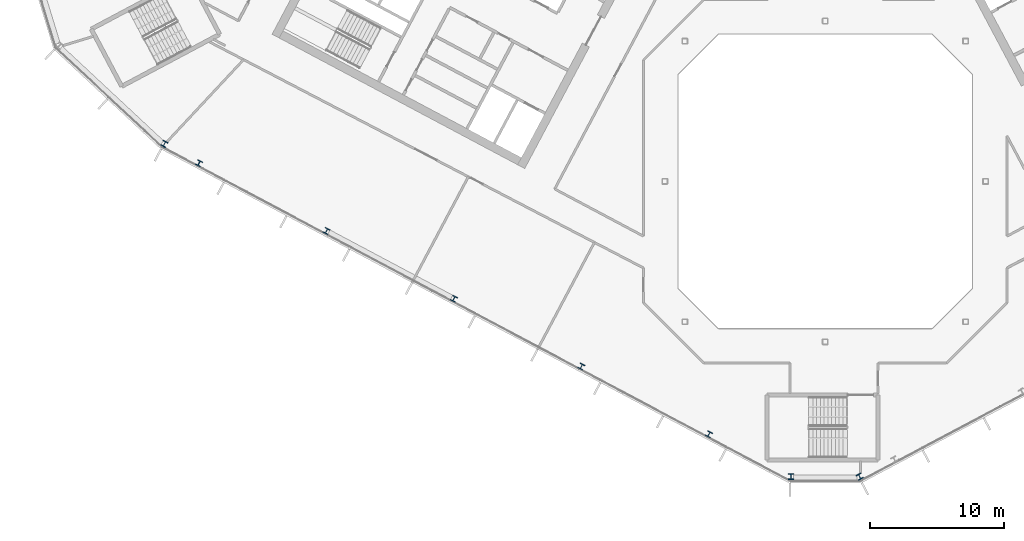
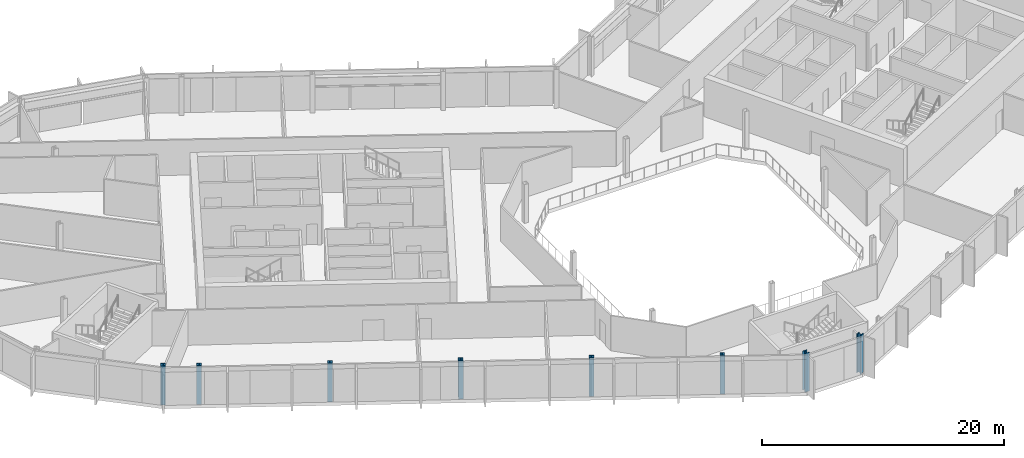
# One storey, part 1 of 27: 8 columns.
"""IFC4 building model written with IfcOpenShell, lengths in metres."""

import ifcopenshell
import ifcopenshell.guid

model = None  # the IFC model being written
_history = None  # IfcOwnerHistory: only IFC2X3 demands one
_inside = {}  # id of a spatial element -> (the spatial element, [elements in it])
_under = {}  # id of a project, library or spatial element -> (it, [spatial elements below it])
_declared = {}  # id of a project -> (the project, [libraries it declares])
_typed = {}  # id of a type object -> (the type object, [elements of that type])
_made_of = {}  # id of a material, layer set ... -> (it, [elements and type objects made of it])


def new_model(schema):
    """Start an empty IFC model of exactly this schema.

    Asked for "IFC4X3", IfcOpenShell would pick the latest addendum, in which some entities
    have other attributes; the version numbers below select the first issue.
    IFC2X3 requires an IfcOwnerHistory on every rooted entity: one is made here for all.
    """
    global model, _history
    if schema == "IFC4X3":
        model = ifcopenshell.file(schema_version=(4, 3, 0, 0))
    else:
        model = ifcopenshell.file(schema=schema)
    _inside.clear()
    _under.clear()
    _declared.clear()
    _typed.clear()
    _made_of.clear()
    _history = None
    if model.schema == "IFC2X3":
        org = make("IfcOrganization", Name="unknown")
        user = make(
            "IfcPersonAndOrganization",
            ThePerson=make("IfcPerson", FamilyName="unknown"),
            TheOrganization=org,
        )
        app = make(
            "IfcApplication",
            ApplicationDeveloper=org,
            Version="unknown",
            ApplicationFullName="unknown",
            ApplicationIdentifier="unknown",
        )
        _history = make(
            "IfcOwnerHistory",
            OwningUser=user,
            OwningApplication=app,
            ChangeAction="ADDED",
            CreationDate=0,
        )
    return model


def make(cls, **values):
    """One entity of the class cls with the attributes given. An attribute that is None is left unset."""
    return model.create_entity(
        cls, **{name: value for name, value in values.items() if value is not None}
    )


def rooted(cls, **values):
    """An entity with a GlobalId (a new one), such as an element, a storey or a relation."""
    return make(cls, GlobalId=ifcopenshell.guid.new(), OwnerHistory=_history, **values)


def si_unit(unit_type, name, prefix=None):
    """IfcSIUnit, for example si_unit("LENGTHUNIT", "METRE", prefix="MILLI")."""
    return make("IfcSIUnit", UnitType=unit_type, Prefix=prefix, Name=name)


def assignment(units):
    """IfcUnitAssignment: the units of a project."""
    return None if units is None else make("IfcUnitAssignment", Units=units)


def point(xyz):
    """IfcCartesianPoint."""
    return None if xyz is None else make("IfcCartesianPoint", Coordinates=xyz)


def direction(xyz):
    """IfcDirection."""
    return None if xyz is None else make("IfcDirection", DirectionRatios=xyz)


def frame(location, z_axis=None, x_axis=None):
    """IfcAxis2Placement3D, a coordinate frame: its origin and axes. An axis left out is left unset."""
    return make(
        "IfcAxis2Placement3D",
        Location=point(location),
        Axis=direction(z_axis),
        RefDirection=direction(x_axis),
    )


def frame_2d(location, x_axis=None):
    """IfcAxis2Placement2D, a coordinate frame in the plane: its origin and x axis."""
    return make(
        "IfcAxis2Placement2D", Location=point(location), RefDirection=direction(x_axis)
    )


def origin():
    """The frame at (0, 0, 0) with its axes left unset."""
    return frame((0.0, 0.0, 0.0))


def origin_2d():
    """The frame at (0, 0) in the plane with its x axis left unset."""
    return frame_2d((0.0, 0.0))


def place(relative_to, where):
    """IfcLocalPlacement: puts the frame where relative to a parent placement (None: the world)."""
    return make(
        "IfcLocalPlacement", PlacementRelTo=relative_to, RelativePlacement=where
    )


def context(
    kind, dimensions, precision=None, world=None, true_north=None, identifier=None
):
    """IfcGeometricRepresentationContext, for example the 3D "Model" context."""
    return make(
        "IfcGeometricRepresentationContext",
        ContextIdentifier=identifier,
        ContextType=kind,
        CoordinateSpaceDimension=dimensions,
        Precision=precision,
        WorldCoordinateSystem=world,
        TrueNorth=true_north,
    )


def subcontext(parent, identifier, kind, view, scale=None):
    """IfcGeometricRepresentationSubContext, for example "Body" below "Model"."""
    return make(
        "IfcGeometricRepresentationSubContext",
        ContextIdentifier=identifier,
        ContextType=kind,
        ParentContext=parent,
        TargetScale=scale,
        TargetView=view,
    )


def project(units=None, contexts=None):
    """IfcProject with its units and contexts."""
    return rooted(
        "IfcProject",
        Name="project",
        RepresentationContexts=contexts,
        UnitsInContext=assignment(units),
    )


def spatial(cls, under=None, at=None, **own):
    """A site, building, storey or space (cls), placed at a placement, below another one or the project."""
    s = rooted(cls, ObjectPlacement=at, **own)
    if under is not None:
        _under.setdefault(under.id(), (under, []))[1].append(s)
    return s


def profile(cls, at=None, kind="AREA", **sizes):
    """A parametric profile (cls). Its sizes go by their IFC names, for example OverallWidth=200.0."""
    return make(cls, ProfileType=kind, Position=at, **sizes)


def i_section(**sizes):
    """IfcIShapeProfileDef."""
    return profile("IfcIShapeProfileDef", **sizes)


def extrude(swept, where, along, depth):
    """IfcExtrudedAreaSolid: the profile swept, set in the frame where, extruded along a direction by depth."""
    return make(
        "IfcExtrudedAreaSolid",
        SweptArea=swept,
        Position=where,
        ExtrudedDirection=direction(along),
        Depth=depth,
    )


def shape(context_of_items, identifier, shape_type, items):
    """IfcShapeRepresentation: the items that make up one representation, for example the "Body"."""
    return make(
        "IfcShapeRepresentation",
        ContextOfItems=context_of_items,
        RepresentationIdentifier=identifier,
        RepresentationType=shape_type,
        Items=items,
    )


def material(Name=None, Category=None):
    """IfcMaterial."""
    return make("IfcMaterial", Name=Name, Category=Category)


def material_profile(
    of_material, cross_section, Name=None, Category=None, Priority=None
):
    """IfcMaterialProfile: a cross section and its material."""
    return make(
        "IfcMaterialProfile",
        Name=Name,
        Material=of_material,
        Profile=cross_section,
        Priority=Priority,
        Category=Category,
    )


def profile_set(profiles, Name=None, composite=None):
    """IfcMaterialProfileSet."""
    return make(
        "IfcMaterialProfileSet",
        Name=Name,
        MaterialProfiles=profiles,
        CompositeProfile=composite,
    )


def made_of(thing, what):
    """Note that an element or type object is made of a material, layer set ...; save() writes the relation."""
    if what is not None:
        _made_of.setdefault(what.id(), (what, []))[1].append(thing)
    return thing


def type_object(cls, material=None, **own):
    """A type object (cls), such as IfcWallType, which elements share."""
    return made_of(rooted(cls, **own), material)


def element(
    cls,
    number,
    at=None,
    inside=None,
    cuts=None,
    type_object=None,
    material=None,
    context=None,
    identifier="Body",
    shape_type=None,
    held_by="IfcProductDefinitionShape",
    body=None,
    shapes=None,
    **own,
):
    """One element of the class cls, such as IfcWall. Its Tag is "e" and its number.

    at: its placement. inside: the storey or other place that contains it. cuts: it is an
    opening in that element (IfcRelVoidsElement). A single representation is given by context,
    identifier, shape_type and body (its items); several are given by shapes. held_by: the class
    of the entity that holds the representations. save() writes the other relations.
    """
    e = rooted(cls, Tag="e%d" % number, ObjectPlacement=at, **own)
    if body is not None:
        shapes = [shape(context, identifier, shape_type, body)]
    if shapes is not None:
        e.Representation = make(held_by, Representations=shapes)
    if inside is not None:
        _inside.setdefault(inside.id(), (inside, []))[1].append(e)
    if cuts is not None:
        rooted(
            "IfcRelVoidsElement", RelatingBuildingElement=cuts, RelatedOpeningElement=e
        )
    if type_object is not None:
        _typed.setdefault(type_object.id(), (type_object, []))[1].append(e)
    return made_of(e, material)


def aggregate(whole, parts):
    """IfcRelAggregates: a whole, such as a stair, and the parts it consists of."""
    return rooted("IfcRelAggregates", RelatingObject=whole, RelatedObjects=parts)


def save(model, path):
    """Write the relations noted so far, then the file.

    IfcRelAggregates (storeys below a building ...), IfcRelContainedInSpatialStructure (elements
    in a storey), IfcRelDefinesByType, IfcRelAssociatesMaterial and IfcRelDeclares: one each for
    every whole, place, type object, material and project.
    """
    for whole, parts in _under.values():
        aggregate(whole, parts)
    for where, things in _inside.values():
        rooted(
            "IfcRelContainedInSpatialStructure",
            RelatedElements=things,
            RelatingStructure=where,
        )
    for kind, things in _typed.values():
        rooted("IfcRelDefinesByType", RelatedObjects=things, RelatingType=kind)
    for what, things in _made_of.values():
        rooted("IfcRelAssociatesMaterial", RelatedObjects=things, RelatingMaterial=what)
    for by, libraries in _declared.values():
        rooted("IfcRelDeclares", RelatingContext=by, RelatedDefinitions=libraries)
    model.write(path)


model = new_model("IFC4")

# Units and contexts
model_context = context("Model", 3, precision=1e-05, world=origin(), true_north=direction((0.0, 1.0)))
body_context = subcontext(model_context, "Body", "Model", "MODEL_VIEW")
ifc_project = project(units=[si_unit("LENGTHUNIT", "METRE"), si_unit("AREAUNIT", "SQUARE_METRE"), si_unit("VOLUMEUNIT", "CUBIC_METRE"), si_unit("PLANEANGLEUNIT", "RADIAN"), si_unit("MASSUNIT", "GRAM", prefix="KILO")], contexts=[model_context])

# Site, building, storey
site_placement = place(None, origin())
site = spatial("IfcSite", under=ifc_project, at=site_placement, CompositionType="ELEMENT")
building_placement = place(site_placement, origin())
building = spatial("IfcBuilding", under=site, at=building_placement, Name="Cormorant Relay Tower", CompositionType="ELEMENT")
storey_placement = place(building_placement, frame((0.0, 0.0, 216.89990234375)))
storey = spatial("IfcBuildingStorey", under=building, at=storey_placement, Name="L47", CompositionType="ELEMENT", Elevation=216.89990234375)

# Columns
ifc_material_1 = material(Name="Steel ASTM A992 (Fy 345 MPa)", Category="steel")
ifc_material_profile_1 = material_profile(ifc_material_1, i_section(OverallWidth=0.40380859375, OverallDepth=0.406494140625, WebThickness=0.027099609375, FlangeThickness=0.043701171875, FilletRadius=0.01513671875, at=origin_2d()), Name="W360x347")
ifc_profile_set_1 = profile_set([ifc_material_profile_1], Name="Steel ASTM A992 (Fy 345 MPa)")
column_type_1 = type_object("IfcColumnType", Name="Column W360x347", PredefinedType="COLUMN", material=ifc_profile_set_1)
for number, where, z_axis, x_axis, name in (
    (1, (-8.700927734375, -18.919921875, 0.0), (0.0, 0.0, 1.0), (0.882947592859, -0.469471562786, 0.0), "Column L47-004"),
    (2, (-18.237060546875, -13.85009765625, 0.0), (0.0, 0.0, 1.0), (0.882947592859, -0.469471562786, 0.0), "Column L47-006"),
    (3, (-27.77197265625, -8.779052734375, 0.0), (0.0, 0.0, 1.0), (0.882947592859, -0.469471562786, 0.0), "Column L47-011"),
    (4, (-37.30810546875, -3.708984375, 0.0), (0.0, 0.0, 1.0), (0.882947592859, -0.469471562786, 0.0), "Column L47-013"),
    (5, (-46.843994140625, 1.361083984375, 0.0), (0.0, 0.0, 1.0), (0.882947592859, -0.469471562786, 0.0), "Column L47-017"),
):
    element("IfcColumn", number, at=place(storey_placement, frame(where, z_axis=z_axis, x_axis=x_axis)), inside=storey, type_object=column_type_1, Name=name, PredefinedType="COLUMN", context=body_context, shape_type="SweptSolid", body=[
        extrude(i_section(OverallWidth=0.40380859375, OverallDepth=0.406494140625, WebThickness=0.027099609375, FlangeThickness=0.043701171875, FilletRadius=0.01513671875, at=origin_2d()), origin(), (0.0, 0.0, 1.0), 3.900146484375),
    ])
ifc_material_2 = material(Name="Steel ASTM A992 (Fy 345 MPa)", Category="steel")
ifc_material_profile_2 = material_profile(ifc_material_2, i_section(OverallWidth=0.41162109375, OverallDepth=0.434326171875, WebThickness=0.035888671875, FlangeThickness=0.057373046875, FilletRadius=0.01513671875, at=origin_2d()), Name="W360x463")
ifc_profile_set_2 = profile_set([ifc_material_profile_2], Name="Steel ASTM A992 (Fy 345 MPa)")
column_type_2 = type_object("IfcColumnType", Name="Column W360x463", PredefinedType="COLUMN", material=ifc_profile_set_2)
for number, where, z_axis, x_axis, name in (
    (6, (-2.575927734375, -22.083984375, 0.0), (0.0, 0.0, 1.0), (1.0, 0.0, 0.0), "Column L47-001"),
    (7, (2.575927734375, -22.083984375, 0.0), (0.0, 0.0, 1.0), (0.882947592859, 0.469471562786, 0.0), "Column L47-002"),
    (8, (-49.43505859375, 2.803955078125, 0.0), (0.0, 0.0, 1.0), (0.882947592859, -0.469471562786, 0.0), "Column L47-018"),
):
    element("IfcColumn", number, at=place(storey_placement, frame(where, z_axis=z_axis, x_axis=x_axis)), inside=storey, type_object=column_type_2, Name=name, PredefinedType="COLUMN", context=body_context, shape_type="SweptSolid", body=[
        extrude(i_section(OverallWidth=0.41162109375, OverallDepth=0.434326171875, WebThickness=0.035888671875, FlangeThickness=0.057373046875, FilletRadius=0.01513671875, at=origin_2d()), origin(), (0.0, 0.0, 1.0), 3.900146484375),
    ])

save(model, "model.ifc")
